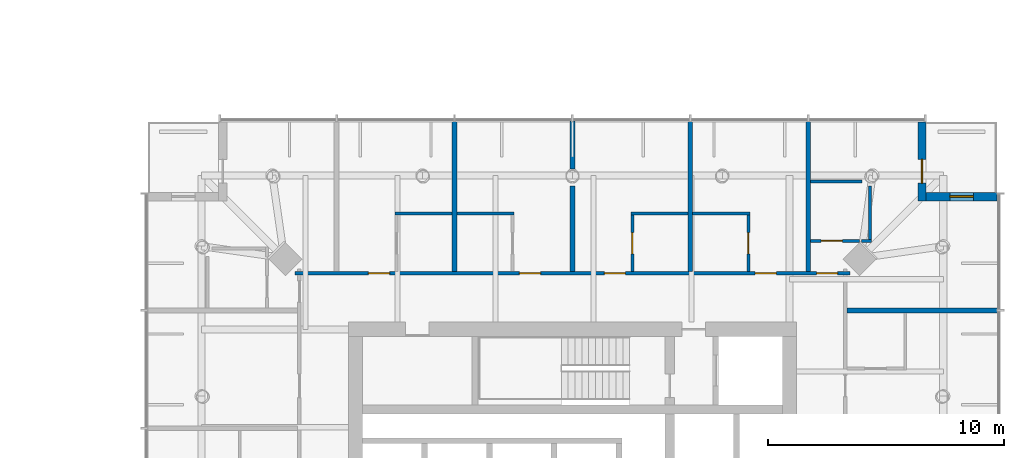
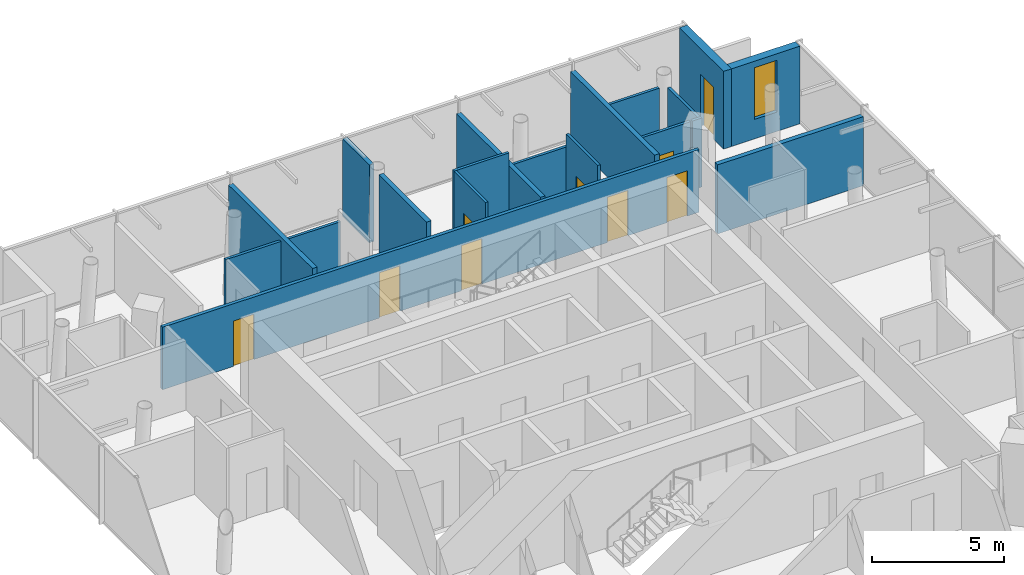
# One storey, part 15 of 18: 19 walls, 9 doors, 1 window, 10 openings.
"""IFC4 building model written with IfcOpenShell, lengths in metres."""

from ifc_helpers import new_model, si_unit, direction, frame, frame_2d, origin, place, context, subcontext, project, spatial, rectangle, extrude, material, layer, layer_set, type_object, element, fill, save


model = new_model("IFC4")

# Units and contexts
model_context = context("Model", 3, precision=1e-05, world=origin(), true_north=direction((0.0, 1.0)))
body_context = subcontext(model_context, "Body", "Model", "MODEL_VIEW")
ifc_project = project(units=[si_unit("LENGTHUNIT", "METRE"), si_unit("AREAUNIT", "SQUARE_METRE"), si_unit("VOLUMEUNIT", "CUBIC_METRE"), si_unit("PLANEANGLEUNIT", "RADIAN"), si_unit("MASSUNIT", "GRAM", prefix="KILO")], contexts=[model_context])

# Site, building, storey
site_placement = place(None, origin())
site = spatial("IfcSite", under=ifc_project, at=site_placement, CompositionType="ELEMENT")
building_placement = place(site_placement, origin())
building = spatial("IfcBuilding", under=site, at=building_placement, Name="Ostroluk Exchange", CompositionType="ELEMENT")
storey_placement = place(building_placement, frame((0.0, 0.0, 97.0)))
storey = spatial("IfcBuildingStorey", under=building, at=storey_placement, Name="L24", CompositionType="ELEMENT", Elevation=97.0)

# Wall, opening, door
ifc_material_1 = material(Name="Limestone", Category="masonry")
ifc_layer_1 = layer(ifc_material_1, 0.35009765625)
ifc_layer_set_1 = layer_set([ifc_layer_1], Name="Limestone facade wall 350")
wall_type_1 = type_object("IfcWallType", Name="Limestone facade wall 350", PredefinedType="SOLIDWALL", material=ifc_layer_set_1)
wall_1_placement = place(storey_placement, frame((131.824951171875, 64.0, 0.0), z_axis=(0.0, 0.0, 1.0), x_axis=(0.0, -1.0, 0.0)))
wall_1 = element("IfcWall", 1, at=wall_1_placement, inside=storey, type_object=wall_type_1, Name="Hotel tower NE corner wall L24 a", PredefinedType="SOLIDWALL", context=body_context, shape_type="SweptSolid", body=[
    extrude(rectangle(XDim=3.35009765625, YDim=0.35009765625, at=frame_2d((1.675048828125, 0.0))), origin(), (0.0, 0.0, 1.0), 3.60009765625),
])
opening_1_placement = place(wall_1_placement, frame((1.60009765625, 0.0, 0.0)))
opening_1 = element("IfcOpeningElement", 2, at=opening_1_placement, cuts=wall_1, Name="Opening D-B1", PredefinedType="OPENING", context=body_context, shape_type="SweptSolid", body=[
    extrude(rectangle(XDim=1.0, YDim=2.39990234375, at=frame_2d((0.5, 1.199951171875))), frame((0.0, 0.18505859375, 0.0), z_axis=(0.0, -1.0, 0.0), x_axis=(1.0, 0.0, 0.0)), (0.0, 0.0, 1.0), 0.3701171875),
])
ifc_material_2 = material(Name="Bronze framed glazed door", Category="aluminium")
door_type_1 = type_object("IfcDoorType", Name="Balcony door 1000 x 2400", OperationType="SINGLE_SWING_LEFT", PredefinedType="DOOR", material=ifc_material_2)
door_1_placement = place(opening_1_placement, origin())
door_1 = element("IfcDoor", 3, at=door_1_placement, inside=storey, type_object=door_type_1, Name="Hotel tower NE balcony door L24", OperationType="SINGLE_SWING_RIGHT", OverallHeight=2.39990234375, OverallWidth=1.0, PredefinedType="DOOR", context=body_context, shape_type="SweptSolid", body=[
    extrude(rectangle(XDim=1.0, YDim=2.39990234375, at=frame_2d((0.5, 1.199951171875))), frame((0.0, 0.02490234375, 0.0), z_axis=(0.0, -1.0, 0.0), x_axis=(1.0, 0.0, 0.0)), (0.0, 0.0, 1.0), 0.050048828125),
])
fill(opening_1, door_1)

# Wall, opening, window
wall_2_placement = place(storey_placement, frame((132.0, 60.824951171875, 0.0), z_axis=(0.0, 0.0, 1.0), x_axis=(1.0, 0.0, 0.0)))
wall_2 = element("IfcWall", 4, at=wall_2_placement, inside=storey, type_object=wall_type_1, Name="Hotel tower NE corner wall L24 b", PredefinedType="SOLIDWALL", context=body_context, shape_type="SweptSolid", body=[
    extrude(rectangle(XDim=3.0, YDim=0.35009765625, at=frame_2d((1.5, 0.0))), origin(), (0.0, 0.0, 1.0), 3.60009765625),
])
opening_2_placement = place(wall_2_placement, frame((1.0, 0.0, 0.89990234375)))
opening_2 = element("IfcOpeningElement", 5, at=opening_2_placement, cuts=wall_2, Name="Opening WN-L3", PredefinedType="OPENING", context=body_context, shape_type="SweptSolid", body=[
    extrude(rectangle(XDim=1.0, YDim=2.39990234375, at=frame_2d((0.5, 1.199951171875))), frame((0.0, 0.18505859375, 0.0), z_axis=(0.0, -1.0, 0.0), x_axis=(1.0, 0.0, 0.0)), (0.0, 0.0, 1.0), 0.3701171875),
])
ifc_material_3 = material(Name="Laminated clear glass", Category="glass")
window_type = type_object("IfcWindowType", Name="Hotel lancet window 1000 x 2400", PartitioningType="SINGLE_PANEL", PredefinedType="WINDOW", material=ifc_material_3)
window_placement = place(opening_2_placement, origin())
window = element("IfcWindow", 6, at=window_placement, inside=storey, type_object=window_type, Name="Hotel tower NE lancet window L24", OverallHeight=2.39990234375, OverallWidth=1.0, PartitioningType="SINGLE_PANEL", PredefinedType="WINDOW", context=body_context, shape_type="SweptSolid", body=[
    extrude(rectangle(XDim=1.0, YDim=2.39990234375, at=frame_2d((0.5, 1.199951171875))), frame((0.0, 0.030029296875, 0.0), z_axis=(0.0, -1.0, 0.0), x_axis=(1.0, 0.0, 0.0)), (0.0, 0.0, 1.0), 0.06005859375),
])
fill(opening_2, window)

# Wall, opening, door
ifc_material_4 = material(Name="Gypsum plasterboard partition, moisture resistant", Category="gypsum")
ifc_layer_2 = layer(ifc_material_4, 0.1201171875)
ifc_layer_set_2 = layer_set([ifc_layer_2], Name="Plasterboard en-suite wall 120")
wall_type_2 = type_object("IfcWallType", Name="Plasterboard en-suite wall 120", PredefinedType="PARTITIONING", material=ifc_layer_set_2)
wall_3_placement = place(storey_placement, frame((127.10009765625, 58.949951171875, 0.0), z_axis=(0.0, 0.0, 1.0), x_axis=(1.0, 0.0, 0.0)))
wall_3 = element("IfcWall", 7, at=wall_3_placement, inside=storey, type_object=wall_type_2, Name="En-suite wall", PredefinedType="PARTITIONING", context=body_context, shape_type="SweptSolid", body=[
    extrude(rectangle(XDim=2.082763671875, YDim=0.1201171875, at=frame_2d((1.04150390625, 0.0))), origin(), (0.0, 0.0, 1.0), 3.199951171875),
])
opening_3_placement = place(wall_3_placement, frame((0.449951171875, 0.0, 0.0)))
opening_3 = element("IfcOpeningElement", 8, at=opening_3_placement, cuts=wall_3, Name="Opening D-02", PredefinedType="OPENING", context=body_context, shape_type="SweptSolid", body=[
    extrude(rectangle(XDim=0.89990234375, YDim=2.10009765625, at=frame_2d((0.449951171875, 1.050048828125))), frame((0.0, 0.070068359375, 0.0), z_axis=(0.0, -1.0, 0.0), x_axis=(1.0, 0.0, 0.0)), (0.0, 0.0, 1.0), 0.14013671875),
])
ifc_material_5 = material(Name="Timber", Category="wood")
door_type_2 = type_object("IfcDoorType", Name="En-suite door 900 x 2100", OperationType="SINGLE_SWING_LEFT", PredefinedType="DOOR", material=ifc_material_5)
door_2_placement = place(opening_3_placement, origin())
door_2 = element("IfcDoor", 9, at=door_2_placement, inside=storey, type_object=door_type_2, Name="En-suite door 2404", OperationType="SINGLE_SWING_LEFT", OverallHeight=2.10009765625, OverallWidth=0.89990234375, PredefinedType="DOOR", context=body_context, shape_type="SweptSolid", body=[
    extrude(rectangle(XDim=0.89990234375, YDim=2.10009765625, at=frame_2d((0.449951171875, 1.050048828125))), frame((0.0, 0.02490234375, 0.0), z_axis=(0.0, -1.0, 0.0), x_axis=(1.0, 0.0, 0.0)), (0.0, 0.0, 1.0), 0.050048828125),
])
fill(opening_3, door_2)

# Walls
wall_4_placement = place(storey_placement, frame((129.265380859375, 58.949951171875, 0.0), z_axis=(0.0, 0.0, 1.0), x_axis=(1.0, 0.0, 0.0)))
element("IfcWall", 10, at=wall_4_placement, inside=storey, type_object=wall_type_2, Name="En-suite wall", PredefinedType="PARTITIONING", context=body_context, shape_type="SweptSolid", body=[
    extrude(rectangle(XDim=0.41455078125, YDim=0.1201171875, at=frame_2d((0.207275390625, 0.0))), origin(), (0.0, 0.0, 1.0), 3.199951171875),
])
wall_5_placement = place(storey_placement, frame((127.10009765625, 61.469970703125, 0.0), z_axis=(0.0, 0.0, 1.0), x_axis=(1.0, 0.0, 0.0)))
element("IfcWall", 11, at=wall_5_placement, inside=storey, type_object=wall_type_2, Name="En-suite wall", PredefinedType="PARTITIONING", context=body_context, shape_type="SweptSolid", body=[
    extrude(rectangle(XDim=2.1806640625, YDim=0.1201171875, at=frame_2d((1.09033203125, 0.0))), origin(), (0.0, 0.0, 1.0), 3.199951171875),
])
wall_6_placement = place(storey_placement, frame((129.6201171875, 58.93115234375, 0.0), z_axis=(0.0, 0.0, 1.0), x_axis=(0.0, 1.0, 0.0)))
element("IfcWall", 12, at=wall_6_placement, inside=storey, type_object=wall_type_2, Name="En-suite wall", PredefinedType="PARTITIONING", context=body_context, shape_type="SweptSolid", body=[
    extrude(rectangle(XDim=2.349609375, YDim=0.1201171875, at=frame_2d((1.1748046875, 0.0))), origin(), (0.0, 0.0, 1.0), 3.199951171875),
])
wall_7_placement = place(storey_placement, frame((124.52001953125, 60.110107421875, 0.0), z_axis=(0.0, 0.0, 1.0), x_axis=(-1.0, 0.0, 0.0)))
element("IfcWall", 13, at=wall_7_placement, inside=storey, type_object=wall_type_2, Name="En-suite wall", PredefinedType="PARTITIONING", context=body_context, shape_type="SweptSolid", body=[
    extrude(rectangle(XDim=2.419921875, YDim=0.1201171875, at=frame_2d((1.2099609375, 0.0))), origin(), (0.0, 0.0, 1.0), 3.0),
])

# Wall, opening, door
wall_8_placement = place(storey_placement, frame((124.4599609375, 57.64990234375, 0.0), z_axis=(0.0, 0.0, 1.0), x_axis=(0.0, 1.0, 0.0)))
wall_8 = element("IfcWall", 14, at=wall_8_placement, inside=storey, type_object=wall_type_2, Name="En-suite wall", PredefinedType="PARTITIONING", context=body_context, shape_type="SweptSolid", body=[
    extrude(rectangle(XDim=2.400146484375, YDim=0.1201171875, at=frame_2d((1.2001953125, 0.0))), origin(), (0.0, 0.0, 1.0), 3.60009765625),
])
opening_4_placement = place(wall_8_placement, frame((0.75, 0.0, 0.0)))
opening_4 = element("IfcOpeningElement", 15, at=opening_4_placement, cuts=wall_8, Name="Opening D-02", PredefinedType="OPENING", context=body_context, shape_type="SweptSolid", body=[
    extrude(rectangle(XDim=0.89990234375, YDim=2.10009765625, at=frame_2d((0.449951171875, 1.050048828125))), frame((0.0, 0.070068359375, 0.0), z_axis=(0.0, -1.0, 0.0), x_axis=(1.0, 0.0, 0.0)), (0.0, 0.0, 1.0), 0.14013671875),
])
door_3_placement = place(opening_4_placement, origin())
door_3 = element("IfcDoor", 16, at=door_3_placement, inside=storey, type_object=door_type_2, Name="En-suite door 2405", OperationType="SINGLE_SWING_RIGHT", OverallHeight=2.10009765625, OverallWidth=0.89990234375, PredefinedType="DOOR", context=body_context, shape_type="SweptSolid", body=[
    extrude(rectangle(XDim=0.89990234375, YDim=2.10009765625, at=frame_2d((0.449951171875, 1.050048828125))), frame((0.0, 0.02490234375, 0.0), z_axis=(0.0, -1.0, 0.0), x_axis=(1.0, 0.0, 0.0)), (0.0, 0.0, 1.0), 0.050048828125),
])
fill(opening_4, door_3)

# Wall
wall_9_placement = place(storey_placement, frame((121.89990234375, 60.110107421875, 0.0), z_axis=(0.0, 0.0, 1.0), x_axis=(-1.0, 0.0, 0.0)))
element("IfcWall", 17, at=wall_9_placement, inside=storey, type_object=wall_type_2, Name="En-suite wall", PredefinedType="PARTITIONING", context=body_context, shape_type="SweptSolid", body=[
    extrude(rectangle(XDim=2.419921875, YDim=0.1201171875, at=frame_2d((1.2099609375, 0.0))), origin(), (0.0, 0.0, 1.0), 3.60009765625),
])

# Wall, opening, door
wall_10_placement = place(storey_placement, frame((119.5400390625, 57.64990234375, 0.0), z_axis=(0.0, 0.0, 1.0), x_axis=(0.0, 1.0, 0.0)))
wall_10 = element("IfcWall", 18, at=wall_10_placement, inside=storey, type_object=wall_type_2, Name="En-suite wall", PredefinedType="PARTITIONING", context=body_context, shape_type="SweptSolid", body=[
    extrude(rectangle(XDim=2.400146484375, YDim=0.1201171875, at=frame_2d((1.2001953125, 0.0))), origin(), (0.0, 0.0, 1.0), 3.60009765625),
])
opening_5_placement = place(wall_10_placement, frame((0.75, 0.0, 0.0)))
opening_5 = element("IfcOpeningElement", 19, at=opening_5_placement, cuts=wall_10, Name="Opening D-02", PredefinedType="OPENING", context=body_context, shape_type="SweptSolid", body=[
    extrude(rectangle(XDim=0.89990234375, YDim=2.10009765625, at=frame_2d((0.449951171875, 1.050048828125))), frame((0.0, 0.070068359375, 0.0), z_axis=(0.0, -1.0, 0.0), x_axis=(1.0, 0.0, 0.0)), (0.0, 0.0, 1.0), 0.14013671875),
])
door_4_placement = place(opening_5_placement, origin())
door_4 = element("IfcDoor", 20, at=door_4_placement, inside=storey, type_object=door_type_2, Name="En-suite door 2406", OperationType="SINGLE_SWING_RIGHT", OverallHeight=2.10009765625, OverallWidth=0.89990234375, PredefinedType="DOOR", context=body_context, shape_type="SweptSolid", body=[
    extrude(rectangle(XDim=0.89990234375, YDim=2.10009765625, at=frame_2d((0.449951171875, 1.050048828125))), frame((0.0, 0.02490234375, 0.0), z_axis=(0.0, -1.0, 0.0), x_axis=(1.0, 0.0, 0.0)), (0.0, 0.0, 1.0), 0.050048828125),
])
fill(opening_5, door_4)

# Walls
for number, where, z_axis, x_axis, name in (
    (21, (114.52001953125, 60.110107421875, 0.0), (0.0, 0.0, 1.0), (-1.0, 0.0, 0.0), "En-suite wall"),
    (22, (111.89990234375, 60.110107421875, 0.0), (0.0, 0.0, 1.0), (-1.0, 0.0, 0.0), "En-suite wall"),
):
    element("IfcWall", number, at=place(storey_placement, frame(where, z_axis=z_axis, x_axis=x_axis)), inside=storey, type_object=wall_type_2, Name=name, PredefinedType="PARTITIONING", context=body_context, shape_type="SweptSolid", body=[
        extrude(rectangle(XDim=2.419921875, YDim=0.1201171875, at=frame_2d((1.2099609375, 0.0))), origin(), (0.0, 0.0, 1.0), 3.0),
    ])

# Wall, openings, doors
ifc_material_6 = material(Name="Gypsum plasterboard partition", Category="gypsum")
ifc_layer_3 = layer(ifc_material_6, 0.14990234375)
ifc_layer_set_3 = layer_set([ifc_layer_3], Name="Plasterboard partition 150")
wall_type_3 = type_object("IfcWallType", Name="Plasterboard partition 150", PredefinedType="PARTITIONING", material=ifc_layer_set_3)
wall_11_placement = place(storey_placement, frame((128.763671875, 57.574951171875, 0.0), z_axis=(0.0, 0.0, 1.0), x_axis=(-1.0, 0.0, 0.0)))
wall_11 = element("IfcWall", 23, at=wall_11_placement, inside=storey, type_object=wall_type_3, Name="Corridor wall", PredefinedType="PARTITIONING", context=body_context, shape_type="SweptSolid", body=[
    extrude(rectangle(XDim=23.52734375, YDim=0.14990234375, at=frame_2d((11.763671875, 0.0))), origin(), (0.0, 0.0, 1.0), 2.89990234375),
])
opening_6_placement = place(wall_11_placement, frame((0.513671875, 0.0, 0.0)))
opening_6 = element("IfcOpeningElement", 24, at=opening_6_placement, cuts=wall_11, Name="Opening D-01", PredefinedType="OPENING", context=body_context, shape_type="SweptSolid", body=[
    extrude(rectangle(XDim=0.89990234375, YDim=2.10009765625, at=frame_2d((0.449951171875, 1.050048828125))), frame((0.0, 0.0849609375, 0.0), z_axis=(0.0, -1.0, 0.0), x_axis=(1.0, 0.0, 0.0)), (0.0, 0.0, 1.0), 0.169921875),
])
opening_7_placement = place(wall_11_placement, frame((3.113525390625, 0.0, 0.0)))
opening_7 = element("IfcOpeningElement", 25, at=opening_7_placement, cuts=wall_11, Name="Opening D-01", PredefinedType="OPENING", context=body_context, shape_type="SweptSolid", body=[
    extrude(rectangle(XDim=0.89990234375, YDim=2.10009765625, at=frame_2d((0.449951171875, 1.050048828125))), frame((0.0, 0.0849609375, 0.0), z_axis=(0.0, -1.0, 0.0), x_axis=(1.0, 0.0, 0.0)), (0.0, 0.0, 1.0), 0.169921875),
])
opening_8_placement = place(wall_11_placement, frame((9.513671875, 0.0, 0.0)))
opening_8 = element("IfcOpeningElement", 26, at=opening_8_placement, cuts=wall_11, Name="Opening D-01", PredefinedType="OPENING", context=body_context, shape_type="SweptSolid", body=[
    extrude(rectangle(XDim=0.89990234375, YDim=2.10009765625, at=frame_2d((0.449951171875, 1.050048828125))), frame((0.0, 0.0849609375, 0.0), z_axis=(0.0, -1.0, 0.0), x_axis=(1.0, 0.0, 0.0)), (0.0, 0.0, 1.0), 0.169921875),
])
opening_9_placement = place(wall_11_placement, frame((13.113525390625, 0.0, 0.0)))
opening_9 = element("IfcOpeningElement", 27, at=opening_9_placement, cuts=wall_11, Name="Opening D-01", PredefinedType="OPENING", context=body_context, shape_type="SweptSolid", body=[
    extrude(rectangle(XDim=0.89990234375, YDim=2.10009765625, at=frame_2d((0.449951171875, 1.050048828125))), frame((0.0, 0.0849609375, 0.0), z_axis=(0.0, -1.0, 0.0), x_axis=(1.0, 0.0, 0.0)), (0.0, 0.0, 1.0), 0.169921875),
])
opening_10_placement = place(wall_11_placement, frame((19.513671875, 0.0, 0.0)))
opening_10 = element("IfcOpeningElement", 28, at=opening_10_placement, cuts=wall_11, Name="Opening D-01", PredefinedType="OPENING", context=body_context, shape_type="SweptSolid", body=[
    extrude(rectangle(XDim=0.89990234375, YDim=2.10009765625, at=frame_2d((0.449951171875, 1.050048828125))), frame((0.0, 0.0849609375, 0.0), z_axis=(0.0, -1.0, 0.0), x_axis=(1.0, 0.0, 0.0)), (0.0, 0.0, 1.0), 0.169921875),
])
ifc_material_7 = material(Name="Timber", Category="wood")
door_type_3 = type_object("IfcDoorType", Name="Hotel room door EI 30 Sa 900 x 2100", OperationType="SINGLE_SWING_LEFT", PredefinedType="DOOR", material=ifc_material_7)
door_5_placement = place(opening_6_placement, origin())
door_5 = element("IfcDoor", 29, at=door_5_placement, inside=storey, type_object=door_type_3, Name="Room door 2404", OperationType="SINGLE_SWING_LEFT", OverallHeight=2.10009765625, OverallWidth=0.89990234375, PredefinedType="DOOR", context=body_context, shape_type="SweptSolid", body=[
    extrude(rectangle(XDim=0.89990234375, YDim=2.10009765625, at=frame_2d((0.449951171875, 1.050048828125))), frame((0.0, 0.02490234375, 0.0), z_axis=(0.0, -1.0, 0.0), x_axis=(1.0, 0.0, 0.0)), (0.0, 0.0, 1.0), 0.050048828125),
])
fill(opening_6, door_5)
door_6_placement = place(opening_7_placement, origin())
door_6 = element("IfcDoor", 30, at=door_6_placement, inside=storey, type_object=door_type_3, Name="Room door 2405", OperationType="SINGLE_SWING_LEFT", OverallHeight=2.10009765625, OverallWidth=0.89990234375, PredefinedType="DOOR", context=body_context, shape_type="SweptSolid", body=[
    extrude(rectangle(XDim=0.89990234375, YDim=2.10009765625, at=frame_2d((0.449951171875, 1.050048828125))), frame((0.0, 0.02490234375, 0.0), z_axis=(0.0, -1.0, 0.0), x_axis=(1.0, 0.0, 0.0)), (0.0, 0.0, 1.0), 0.050048828125),
])
fill(opening_7, door_6)
door_7_placement = place(opening_8_placement, origin())
door_7 = element("IfcDoor", 31, at=door_7_placement, inside=storey, type_object=door_type_3, Name="Room door 2406", OperationType="SINGLE_SWING_LEFT", OverallHeight=2.10009765625, OverallWidth=0.89990234375, PredefinedType="DOOR", context=body_context, shape_type="SweptSolid", body=[
    extrude(rectangle(XDim=0.89990234375, YDim=2.10009765625, at=frame_2d((0.449951171875, 1.050048828125))), frame((0.0, 0.02490234375, 0.0), z_axis=(0.0, -1.0, 0.0), x_axis=(1.0, 0.0, 0.0)), (0.0, 0.0, 1.0), 0.050048828125),
])
fill(opening_8, door_7)
door_8_placement = place(opening_9_placement, origin())
door_8 = element("IfcDoor", 32, at=door_8_placement, inside=storey, type_object=door_type_3, Name="Room door 2407", OperationType="SINGLE_SWING_RIGHT", OverallHeight=2.10009765625, OverallWidth=0.89990234375, PredefinedType="DOOR", context=body_context, shape_type="SweptSolid", body=[
    extrude(rectangle(XDim=0.89990234375, YDim=2.10009765625, at=frame_2d((0.449951171875, 1.050048828125))), frame((0.0, 0.02490234375, 0.0), z_axis=(0.0, -1.0, 0.0), x_axis=(1.0, 0.0, 0.0)), (0.0, 0.0, 1.0), 0.050048828125),
])
fill(opening_9, door_8)
door_9_placement = place(opening_10_placement, origin())
door_9 = element("IfcDoor", 33, at=door_9_placement, inside=storey, type_object=door_type_3, Name="Room door 2408", OperationType="SINGLE_SWING_RIGHT", OverallHeight=2.10009765625, OverallWidth=0.89990234375, PredefinedType="DOOR", context=body_context, shape_type="SweptSolid", body=[
    extrude(rectangle(XDim=0.89990234375, YDim=2.10009765625, at=frame_2d((0.449951171875, 1.050048828125))), frame((0.0, 0.02490234375, 0.0), z_axis=(0.0, -1.0, 0.0), x_axis=(1.0, 0.0, 0.0)), (0.0, 0.0, 1.0), 0.050048828125),
])
fill(opening_10, door_9)

# Walls
ifc_material_8 = material(Name="Gypsum plasterboard partition", Category="gypsum")
ifc_layer_4 = layer(ifc_material_8, 0.199951171875)
ifc_layer_set_4 = layer_set([ifc_layer_4], Name="Plasterboard party wall 200")
wall_type_4 = type_object("IfcWallType", Name="Plasterboard party wall 200", PredefinedType="PARTITIONING", material=ifc_layer_set_4)
for number, where, z_axis, x_axis, name in (
    (34, (128.64990234375, 56.0, 0.0), (0.0, 0.0, 1.0), (1.0, 0.0, 0.0), "Party wall"),
    (35, (127.0, 57.64990234375, 0.0), (0.0, 0.0, 1.0), (0.0, 1.0, 0.0), "Party wall"),
):
    element("IfcWall", number, at=place(storey_placement, frame(where, z_axis=z_axis, x_axis=x_axis)), inside=storey, type_object=wall_type_4, Name=name, PredefinedType="PARTITIONING", context=body_context, shape_type="SweptSolid", body=[
        extrude(rectangle(XDim=6.39013671875, YDim=0.199951171875, at=frame_2d((3.195068359375, 0.0))), origin(), (0.0, 0.0, 1.0), 3.199951171875),
    ])
wall_12_placement = place(storey_placement, frame((122.0, 57.64990234375, 0.0), z_axis=(0.0, 0.0, 1.0), x_axis=(0.0, 1.0, 0.0)))
element("IfcWall", 36, at=wall_12_placement, inside=storey, type_object=wall_type_4, Name="Party wall", PredefinedType="PARTITIONING", context=body_context, shape_type="SweptSolid", body=[
    extrude(rectangle(XDim=6.39013671875, YDim=0.199951171875, at=frame_2d((3.195068359375, 0.0))), origin(), (0.0, 0.0, 1.0), 3.0),
])
wall_13_placement = place(storey_placement, frame((117.0, 57.64990234375, 0.0), z_axis=(0.0, 0.0, 1.0), x_axis=(0.0, 1.0, 0.0)))
element("IfcWall", 37, at=wall_13_placement, inside=storey, type_object=wall_type_4, Name="Party wall", PredefinedType="PARTITIONING", context=body_context, shape_type="SweptSolid", body=[
    extrude(rectangle(XDim=3.630859375, YDim=0.199951171875, at=frame_2d((1.8154296875, 0.0))), origin(), (0.0, 0.0, 1.0), 3.60009765625),
])
wall_14_placement = place(storey_placement, frame((117.0, 62.003662109375, 0.0), z_axis=(0.0, 0.0, 1.0), x_axis=(0.0, 1.0, 0.0)))
element("IfcWall", 38, at=wall_14_placement, inside=storey, type_object=wall_type_4, Name="Party wall", PredefinedType="PARTITIONING", context=body_context, shape_type="SweptSolid", body=[
    extrude(rectangle(XDim=2.036376953125, YDim=0.199951171875, at=frame_2d((1.01806640625, 0.0))), origin(), (0.0, 0.0, 1.0), 3.60009765625),
])
wall_15_placement = place(storey_placement, frame((112.0, 57.64990234375, 0.0), z_axis=(0.0, 0.0, 1.0), x_axis=(0.0, 1.0, 0.0)))
element("IfcWall", 39, at=wall_15_placement, inside=storey, type_object=wall_type_4, Name="Party wall", PredefinedType="PARTITIONING", context=body_context, shape_type="SweptSolid", body=[
    extrude(rectangle(XDim=6.39013671875, YDim=0.199951171875, at=frame_2d((3.195068359375, 0.0))), origin(), (0.0, 0.0, 1.0), 3.199951171875),
])

save(model, "model.ifc")
